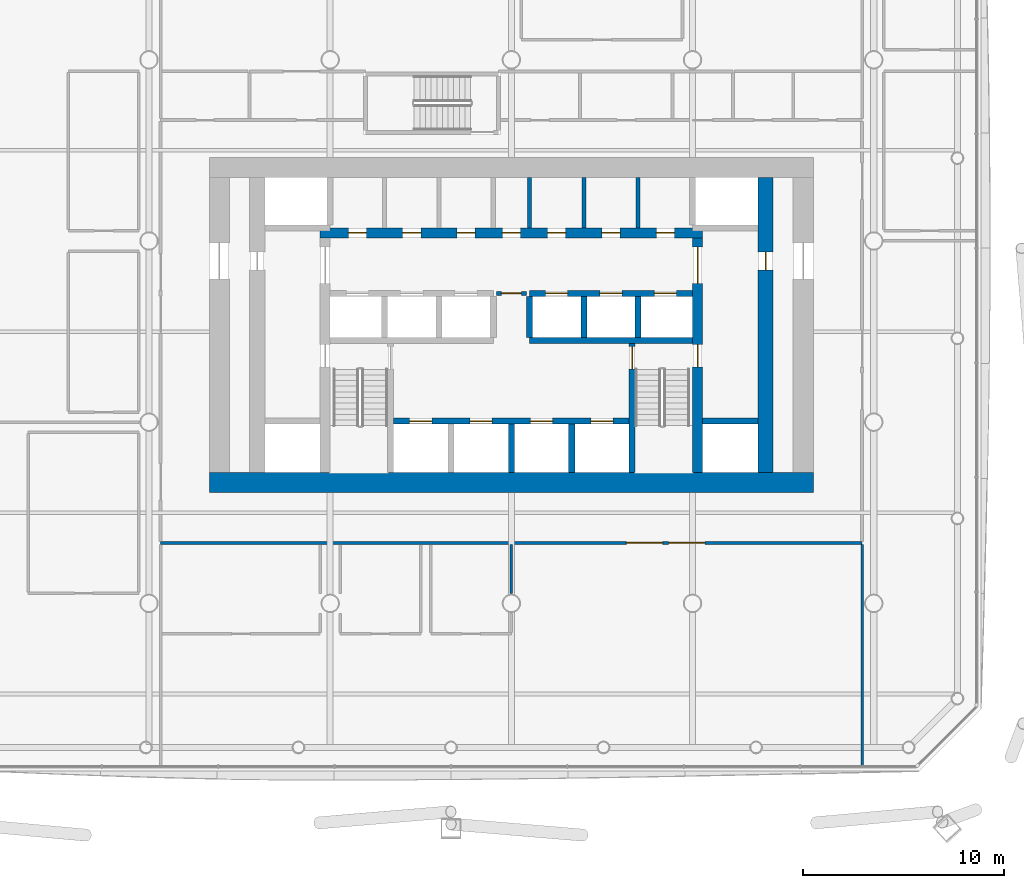
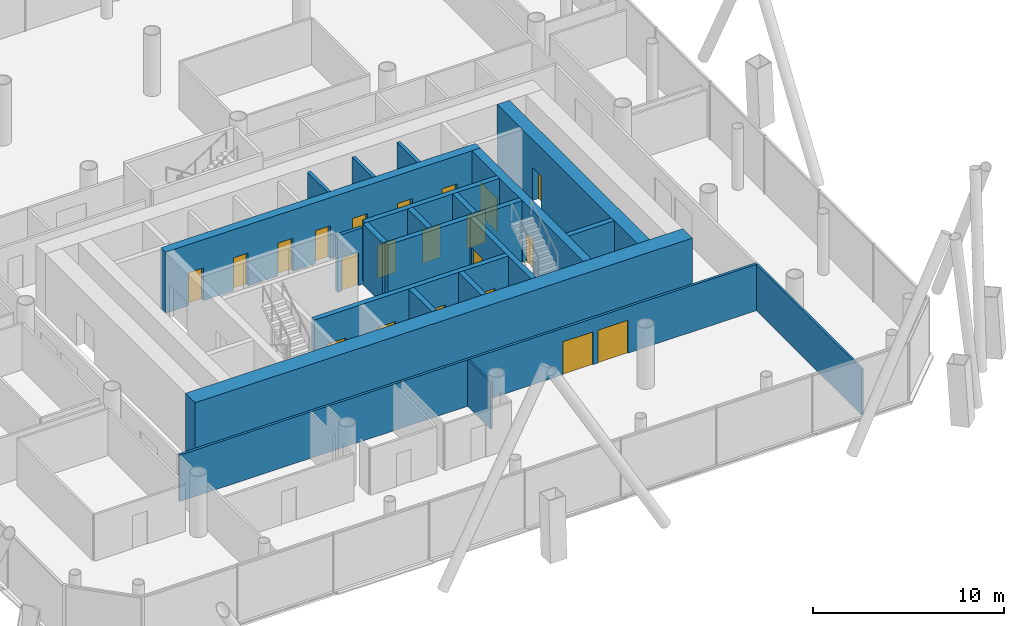
# One storey, part 14 of 21: 21 doors, 21 walls, 21 openings.
"""IFC4 building model written with IfcOpenShell, lengths in metres."""

import ifcopenshell
import ifcopenshell.guid

model = None  # the IFC model being written
_history = None  # IfcOwnerHistory: only IFC2X3 demands one
_inside = {}  # id of a spatial element -> (the spatial element, [elements in it])
_under = {}  # id of a project, library or spatial element -> (it, [spatial elements below it])
_declared = {}  # id of a project -> (the project, [libraries it declares])
_typed = {}  # id of a type object -> (the type object, [elements of that type])
_made_of = {}  # id of a material, layer set ... -> (it, [elements and type objects made of it])


def new_model(schema):
    """Start an empty IFC model of exactly this schema.

    Asked for "IFC4X3", IfcOpenShell would pick the latest addendum, in which some entities
    have other attributes; the version numbers below select the first issue.
    IFC2X3 requires an IfcOwnerHistory on every rooted entity: one is made here for all.
    """
    global model, _history
    if schema == "IFC4X3":
        model = ifcopenshell.file(schema_version=(4, 3, 0, 0))
    else:
        model = ifcopenshell.file(schema=schema)
    _inside.clear()
    _under.clear()
    _declared.clear()
    _typed.clear()
    _made_of.clear()
    _history = None
    if model.schema == "IFC2X3":
        org = make("IfcOrganization", Name="unknown")
        user = make(
            "IfcPersonAndOrganization",
            ThePerson=make("IfcPerson", FamilyName="unknown"),
            TheOrganization=org,
        )
        app = make(
            "IfcApplication",
            ApplicationDeveloper=org,
            Version="unknown",
            ApplicationFullName="unknown",
            ApplicationIdentifier="unknown",
        )
        _history = make(
            "IfcOwnerHistory",
            OwningUser=user,
            OwningApplication=app,
            ChangeAction="ADDED",
            CreationDate=0,
        )
    return model


def make(cls, **values):
    """One entity of the class cls with the attributes given. An attribute that is None is left unset."""
    return model.create_entity(
        cls, **{name: value for name, value in values.items() if value is not None}
    )


def rooted(cls, **values):
    """An entity with a GlobalId (a new one), such as an element, a storey or a relation."""
    return make(cls, GlobalId=ifcopenshell.guid.new(), OwnerHistory=_history, **values)


def si_unit(unit_type, name, prefix=None):
    """IfcSIUnit, for example si_unit("LENGTHUNIT", "METRE", prefix="MILLI")."""
    return make("IfcSIUnit", UnitType=unit_type, Prefix=prefix, Name=name)


def assignment(units):
    """IfcUnitAssignment: the units of a project."""
    return None if units is None else make("IfcUnitAssignment", Units=units)


def point(xyz):
    """IfcCartesianPoint."""
    return None if xyz is None else make("IfcCartesianPoint", Coordinates=xyz)


def direction(xyz):
    """IfcDirection."""
    return None if xyz is None else make("IfcDirection", DirectionRatios=xyz)


def frame(location, z_axis=None, x_axis=None):
    """IfcAxis2Placement3D, a coordinate frame: its origin and axes. An axis left out is left unset."""
    return make(
        "IfcAxis2Placement3D",
        Location=point(location),
        Axis=direction(z_axis),
        RefDirection=direction(x_axis),
    )


def frame_2d(location, x_axis=None):
    """IfcAxis2Placement2D, a coordinate frame in the plane: its origin and x axis."""
    return make(
        "IfcAxis2Placement2D", Location=point(location), RefDirection=direction(x_axis)
    )


def origin():
    """The frame at (0, 0, 0) with its axes left unset."""
    return frame((0.0, 0.0, 0.0))


def place(relative_to, where):
    """IfcLocalPlacement: puts the frame where relative to a parent placement (None: the world)."""
    return make(
        "IfcLocalPlacement", PlacementRelTo=relative_to, RelativePlacement=where
    )


def context(
    kind, dimensions, precision=None, world=None, true_north=None, identifier=None
):
    """IfcGeometricRepresentationContext, for example the 3D "Model" context."""
    return make(
        "IfcGeometricRepresentationContext",
        ContextIdentifier=identifier,
        ContextType=kind,
        CoordinateSpaceDimension=dimensions,
        Precision=precision,
        WorldCoordinateSystem=world,
        TrueNorth=true_north,
    )


def subcontext(parent, identifier, kind, view, scale=None):
    """IfcGeometricRepresentationSubContext, for example "Body" below "Model"."""
    return make(
        "IfcGeometricRepresentationSubContext",
        ContextIdentifier=identifier,
        ContextType=kind,
        ParentContext=parent,
        TargetScale=scale,
        TargetView=view,
    )


def project(units=None, contexts=None):
    """IfcProject with its units and contexts."""
    return rooted(
        "IfcProject",
        Name="project",
        RepresentationContexts=contexts,
        UnitsInContext=assignment(units),
    )


def spatial(cls, under=None, at=None, **own):
    """A site, building, storey or space (cls), placed at a placement, below another one or the project."""
    s = rooted(cls, ObjectPlacement=at, **own)
    if under is not None:
        _under.setdefault(under.id(), (under, []))[1].append(s)
    return s


def profile(cls, at=None, kind="AREA", **sizes):
    """A parametric profile (cls). Its sizes go by their IFC names, for example OverallWidth=200.0."""
    return make(cls, ProfileType=kind, Position=at, **sizes)


def rectangle(**sizes):
    """IfcRectangleProfileDef."""
    return profile("IfcRectangleProfileDef", **sizes)


def extrude(swept, where, along, depth):
    """IfcExtrudedAreaSolid: the profile swept, set in the frame where, extruded along a direction by depth."""
    return make(
        "IfcExtrudedAreaSolid",
        SweptArea=swept,
        Position=where,
        ExtrudedDirection=direction(along),
        Depth=depth,
    )


def shape(context_of_items, identifier, shape_type, items):
    """IfcShapeRepresentation: the items that make up one representation, for example the "Body"."""
    return make(
        "IfcShapeRepresentation",
        ContextOfItems=context_of_items,
        RepresentationIdentifier=identifier,
        RepresentationType=shape_type,
        Items=items,
    )


def material(Name=None, Category=None):
    """IfcMaterial."""
    return make("IfcMaterial", Name=Name, Category=Category)


def layer(
    of_material, thickness, ventilated=None, Name=None, Category=None, Priority=None
):
    """IfcMaterialLayer: one layer of a wall or slab, of a material (None: an air gap)."""
    return make(
        "IfcMaterialLayer",
        Material=of_material,
        LayerThickness=thickness,
        IsVentilated=ventilated,
        Name=Name,
        Category=Category,
        Priority=Priority,
    )


def layer_set(layers, Name=None):
    """IfcMaterialLayerSet."""
    return make("IfcMaterialLayerSet", MaterialLayers=layers, LayerSetName=Name)


def made_of(thing, what):
    """Note that an element or type object is made of a material, layer set ...; save() writes the relation."""
    if what is not None:
        _made_of.setdefault(what.id(), (what, []))[1].append(thing)
    return thing


def type_object(cls, material=None, **own):
    """A type object (cls), such as IfcWallType, which elements share."""
    return made_of(rooted(cls, **own), material)


def element(
    cls,
    number,
    at=None,
    inside=None,
    cuts=None,
    type_object=None,
    material=None,
    context=None,
    identifier="Body",
    shape_type=None,
    held_by="IfcProductDefinitionShape",
    body=None,
    shapes=None,
    **own,
):
    """One element of the class cls, such as IfcWall. Its Tag is "e" and its number.

    at: its placement. inside: the storey or other place that contains it. cuts: it is an
    opening in that element (IfcRelVoidsElement). A single representation is given by context,
    identifier, shape_type and body (its items); several are given by shapes. held_by: the class
    of the entity that holds the representations. save() writes the other relations.
    """
    e = rooted(cls, Tag="e%d" % number, ObjectPlacement=at, **own)
    if body is not None:
        shapes = [shape(context, identifier, shape_type, body)]
    if shapes is not None:
        e.Representation = make(held_by, Representations=shapes)
    if inside is not None:
        _inside.setdefault(inside.id(), (inside, []))[1].append(e)
    if cuts is not None:
        rooted(
            "IfcRelVoidsElement", RelatingBuildingElement=cuts, RelatedOpeningElement=e
        )
    if type_object is not None:
        _typed.setdefault(type_object.id(), (type_object, []))[1].append(e)
    return made_of(e, material)


def fill(opening, filler):
    """IfcRelFillsElement: the door or window that sits in an opening."""
    return rooted(
        "IfcRelFillsElement",
        RelatingOpeningElement=opening,
        RelatedBuildingElement=filler,
    )


def aggregate(whole, parts):
    """IfcRelAggregates: a whole, such as a stair, and the parts it consists of."""
    return rooted("IfcRelAggregates", RelatingObject=whole, RelatedObjects=parts)


def save(model, path):
    """Write the relations noted so far, then the file.

    IfcRelAggregates (storeys below a building ...), IfcRelContainedInSpatialStructure (elements
    in a storey), IfcRelDefinesByType, IfcRelAssociatesMaterial and IfcRelDeclares: one each for
    every whole, place, type object, material and project.
    """
    for whole, parts in _under.values():
        aggregate(whole, parts)
    for where, things in _inside.values():
        rooted(
            "IfcRelContainedInSpatialStructure",
            RelatedElements=things,
            RelatingStructure=where,
        )
    for kind, things in _typed.values():
        rooted("IfcRelDefinesByType", RelatedObjects=things, RelatingType=kind)
    for what, things in _made_of.values():
        rooted("IfcRelAssociatesMaterial", RelatedObjects=things, RelatingMaterial=what)
    for by, libraries in _declared.values():
        rooted("IfcRelDeclares", RelatingContext=by, RelatedDefinitions=libraries)
    model.write(path)


model = new_model("IFC4")

# Units and contexts
model_context = context("Model", 3, precision=1e-05, world=origin(), true_north=direction((0.0, 1.0)))
body_context = subcontext(model_context, "Body", "Model", "MODEL_VIEW")
ifc_project = project(units=[si_unit("LENGTHUNIT", "METRE"), si_unit("AREAUNIT", "SQUARE_METRE"), si_unit("VOLUMEUNIT", "CUBIC_METRE"), si_unit("PLANEANGLEUNIT", "RADIAN"), si_unit("MASSUNIT", "GRAM", prefix="KILO")], contexts=[model_context])

# Site, building, storey
site_placement = place(None, origin())
site = spatial("IfcSite", under=ifc_project, at=site_placement, CompositionType="ELEMENT")
building_placement = place(site_placement, origin())
building = spatial("IfcBuilding", under=site, at=building_placement, Name="Tskaro Facet Tower", CompositionType="ELEMENT")
storey_placement = place(building_placement, frame((0.0, 0.0, 45.89990234375)))
storey = spatial("IfcBuildingStorey", under=building, at=storey_placement, Name="L10", CompositionType="ELEMENT", Elevation=45.89990234375)

# Wall, openings, doors
ifc_material_1 = material(Name="Concrete C60/75", Category="concrete")
ifc_layer_1 = layer(ifc_material_1, 0.300048828125, Name="Concrete C60/75")
ifc_layer_set_1 = layer_set([ifc_layer_1], Name="Concrete C60/75")
wall_type_1 = type_object("IfcWallType", Name="CORE-SHAFT", PredefinedType="SHEAR", material=ifc_layer_set_1)
wall_1_placement = place(storey_placement, frame((-5.85009765625, -8.949951171875, 0.0), z_axis=(0.0, 0.0, 1.0), x_axis=(1.0, 0.0, 0.0)))
wall_1 = element("IfcWall", 1, at=wall_1_placement, inside=storey, type_object=wall_type_1, Name="Shaft wall W009", PredefinedType="SHEAR", context=body_context, shape_type="SweptSolid", body=[
    extrude(rectangle(XDim=11.7001953125, YDim=0.300048828125, at=frame_2d((5.85009765625, 0.0))), origin(), (0.0, 0.0, 1.0), 3.900146484375),
])
opening_1_placement = place(wall_1_placement, frame((0.800048828125, 0.0, 0.0)))
opening_1 = element("IfcOpeningElement", 2, at=opening_1_placement, cuts=wall_1, Name="Opening LD-FF1", PredefinedType="OPENING", context=body_context, shape_type="SweptSolid", body=[
    extrude(rectangle(XDim=1.10009765625, YDim=2.10009765625, at=frame_2d((0.550048828125, 1.050048828125))), frame((0.0, 0.159912109375, 0.0), z_axis=(0.0, -1.0, 0.0), x_axis=(1.0, 0.0, 0.0)), (0.0, 0.0, 1.0), 0.320068359375),
])
opening_2_placement = place(wall_1_placement, frame((3.800048828125, 0.0, 0.0)))
opening_2 = element("IfcOpeningElement", 3, at=opening_2_placement, cuts=wall_1, Name="Opening LD-FF2", PredefinedType="OPENING", context=body_context, shape_type="SweptSolid", body=[
    extrude(rectangle(XDim=1.10009765625, YDim=2.10009765625, at=frame_2d((0.550048828125, 1.050048828125))), frame((0.0, 0.159912109375, 0.0), z_axis=(0.0, -1.0, 0.0), x_axis=(1.0, 0.0, 0.0)), (0.0, 0.0, 1.0), 0.320068359375),
])
opening_3_placement = place(wall_1_placement, frame((6.800048828125, 0.0, 0.0)))
opening_3 = element("IfcOpeningElement", 4, at=opening_3_placement, cuts=wall_1, Name="Opening LD-SV1", PredefinedType="OPENING", context=body_context, shape_type="SweptSolid", body=[
    extrude(rectangle(XDim=1.10009765625, YDim=2.10009765625, at=frame_2d((0.550048828125, 1.050048828125))), frame((0.0, 0.159912109375, 0.0), z_axis=(0.0, -1.0, 0.0), x_axis=(1.0, 0.0, 0.0)), (0.0, 0.0, 1.0), 0.320068359375),
])
opening_4_placement = place(wall_1_placement, frame((9.800048828125, 0.0, 0.0)))
opening_4 = element("IfcOpeningElement", 5, at=opening_4_placement, cuts=wall_1, Name="Opening LD-SV2", PredefinedType="OPENING", context=body_context, shape_type="SweptSolid", body=[
    extrude(rectangle(XDim=1.10009765625, YDim=2.10009765625, at=frame_2d((0.550048828125, 1.050048828125))), frame((0.0, 0.159912109375, 0.0), z_axis=(0.0, -1.0, 0.0), x_axis=(1.0, 0.0, 0.0)), (0.0, 0.0, 1.0), 0.320068359375),
])
ifc_material_2 = material(Name="Stainless steel", Category="steel")
door_type_1 = type_object("IfcDoorType", Name="D-LANDING", OperationType="NOTDEFINED", PredefinedType="DOOR", material=ifc_material_2)
door_1_placement = place(opening_1_placement, origin())
door_1 = element("IfcDoor", 6, at=door_1_placement, inside=storey, type_object=door_type_1, Name="Landing door FF1", OperationType="DOUBLE_DOOR_SLIDING", OverallHeight=2.10009765625, OverallWidth=1.10009765625, PredefinedType="DOOR", context=body_context, shape_type="SweptSolid", body=[
    extrude(rectangle(XDim=1.10009765625, YDim=2.10009765625, at=frame_2d((0.550048828125, 1.050048828125))), frame((0.0, 0.02490234375, 0.0), z_axis=(0.0, -1.0, 0.0), x_axis=(1.0, 0.0, 0.0)), (0.0, 0.0, 1.0), 0.050048828125),
])
fill(opening_1, door_1)
door_2_placement = place(opening_2_placement, origin())
door_2 = element("IfcDoor", 7, at=door_2_placement, inside=storey, type_object=door_type_1, Name="Landing door FF2", OperationType="DOUBLE_DOOR_SLIDING", OverallHeight=2.10009765625, OverallWidth=1.10009765625, PredefinedType="DOOR", context=body_context, shape_type="SweptSolid", body=[
    extrude(rectangle(XDim=1.10009765625, YDim=2.10009765625, at=frame_2d((0.550048828125, 1.050048828125))), frame((0.0, 0.02490234375, 0.0), z_axis=(0.0, -1.0, 0.0), x_axis=(1.0, 0.0, 0.0)), (0.0, 0.0, 1.0), 0.050048828125),
])
fill(opening_2, door_2)
door_3_placement = place(opening_3_placement, origin())
door_3 = element("IfcDoor", 8, at=door_3_placement, inside=storey, type_object=door_type_1, Name="Landing door SV1", OperationType="DOUBLE_DOOR_SLIDING", OverallHeight=2.10009765625, OverallWidth=1.10009765625, PredefinedType="DOOR", context=body_context, shape_type="SweptSolid", body=[
    extrude(rectangle(XDim=1.10009765625, YDim=2.10009765625, at=frame_2d((0.550048828125, 1.050048828125))), frame((0.0, 0.02490234375, 0.0), z_axis=(0.0, -1.0, 0.0), x_axis=(1.0, 0.0, 0.0)), (0.0, 0.0, 1.0), 0.050048828125),
])
fill(opening_3, door_3)
door_4_placement = place(opening_4_placement, origin())
door_4 = element("IfcDoor", 9, at=door_4_placement, inside=storey, type_object=door_type_1, Name="Landing door SV2", OperationType="DOUBLE_DOOR_SLIDING", OverallHeight=2.10009765625, OverallWidth=1.10009765625, PredefinedType="DOOR", context=body_context, shape_type="SweptSolid", body=[
    extrude(rectangle(XDim=1.10009765625, YDim=2.10009765625, at=frame_2d((0.550048828125, 1.050048828125))), frame((0.0, 0.02490234375, 0.0), z_axis=(0.0, -1.0, 0.0), x_axis=(1.0, 0.0, 0.0)), (0.0, 0.0, 1.0), 0.050048828125),
])
fill(opening_4, door_4)

# Walls
wall_2_placement = place(storey_placement, frame((9.5, -8.949951171875, 0.0), z_axis=(0.0, 0.0, 1.0), x_axis=(1.0, 0.0, 0.0)))
element("IfcWall", 10, at=wall_2_placement, inside=storey, type_object=wall_type_1, Name="Shaft wall W010", PredefinedType="SHEAR", context=body_context, shape_type="SweptSolid", body=[
    extrude(rectangle(XDim=2.75, YDim=0.300048828125, at=frame_2d((1.375, 0.0))), origin(), (0.0, 0.0, 1.0), 3.900146484375),
])
wall_3_placement = place(storey_placement, frame((0.89990234375, -4.949951171875, 0.0), z_axis=(0.0, 0.0, 1.0), x_axis=(1.0, 0.0, 0.0)))
element("IfcWall", 11, at=wall_3_placement, inside=storey, type_object=wall_type_1, Name="Shaft wall W013", PredefinedType="SHEAR", context=body_context, shape_type="SweptSolid", body=[
    extrude(rectangle(XDim=8.10009765625, YDim=0.300048828125, at=frame_2d((4.050048828125, 0.0))), origin(), (0.0, 0.0, 1.0), 3.900146484375),
])

# Wall, openings, doors
wall_4_placement = place(storey_placement, frame((0.89990234375, -2.60009765625, 0.0), z_axis=(0.0, 0.0, 1.0), x_axis=(1.0, 0.0, 0.0)))
wall_4 = element("IfcWall", 12, at=wall_4_placement, inside=storey, type_object=wall_type_1, Name="Shaft wall W016", PredefinedType="SHEAR", context=body_context, shape_type="SweptSolid", body=[
    extrude(rectangle(XDim=8.10009765625, YDim=0.300048828125, at=frame_2d((4.050048828125, 0.0))), origin(), (0.0, 0.0, 1.0), 3.900146484375),
])
opening_5_placement = place(wall_4_placement, frame((0.800048828125, 0.0, 0.0)))
opening_5 = element("IfcOpeningElement", 13, at=opening_5_placement, cuts=wall_4, Name="Opening LD-LR4", PredefinedType="OPENING", context=body_context, shape_type="SweptSolid", body=[
    extrude(rectangle(XDim=1.10009765625, YDim=2.10009765625, at=frame_2d((0.550048828125, 1.050048828125))), frame((0.0, 0.159912109375, 0.0), z_axis=(0.0, -1.0, 0.0), x_axis=(1.0, 0.0, 0.0)), (0.0, 0.0, 1.0), 0.320068359375),
])
opening_6_placement = place(wall_4_placement, frame((3.5, 0.0, 0.0)))
opening_6 = element("IfcOpeningElement", 14, at=opening_6_placement, cuts=wall_4, Name="Opening LD-LR5", PredefinedType="OPENING", context=body_context, shape_type="SweptSolid", body=[
    extrude(rectangle(XDim=1.10009765625, YDim=2.10009765625, at=frame_2d((0.550048828125, 1.050048828125))), frame((0.0, 0.159912109375, 0.0), z_axis=(0.0, -1.0, 0.0), x_axis=(1.0, 0.0, 0.0)), (0.0, 0.0, 1.0), 0.320068359375),
])
opening_7_placement = place(wall_4_placement, frame((6.199951171875, 0.0, 0.0)))
opening_7 = element("IfcOpeningElement", 15, at=opening_7_placement, cuts=wall_4, Name="Opening LD-LR6", PredefinedType="OPENING", context=body_context, shape_type="SweptSolid", body=[
    extrude(rectangle(XDim=1.10009765625, YDim=2.10009765625, at=frame_2d((0.550048828125, 1.050048828125))), frame((0.0, 0.159912109375, 0.0), z_axis=(0.0, -1.0, 0.0), x_axis=(1.0, 0.0, 0.0)), (0.0, 0.0, 1.0), 0.320068359375),
])
door_5_placement = place(opening_5_placement, origin())
door_5 = element("IfcDoor", 16, at=door_5_placement, inside=storey, type_object=door_type_1, Name="Landing door LR4", OperationType="DOUBLE_DOOR_SLIDING", OverallHeight=2.10009765625, OverallWidth=1.10009765625, PredefinedType="DOOR", context=body_context, shape_type="SweptSolid", body=[
    extrude(rectangle(XDim=1.10009765625, YDim=2.10009765625, at=frame_2d((0.550048828125, 1.050048828125))), frame((0.0, 0.02490234375, 0.0), z_axis=(0.0, -1.0, 0.0), x_axis=(1.0, 0.0, 0.0)), (0.0, 0.0, 1.0), 0.050048828125),
])
fill(opening_5, door_5)
door_6_placement = place(opening_6_placement, origin())
door_6 = element("IfcDoor", 17, at=door_6_placement, inside=storey, type_object=door_type_1, Name="Landing door LR5", OperationType="DOUBLE_DOOR_SLIDING", OverallHeight=2.10009765625, OverallWidth=1.10009765625, PredefinedType="DOOR", context=body_context, shape_type="SweptSolid", body=[
    extrude(rectangle(XDim=1.10009765625, YDim=2.10009765625, at=frame_2d((0.550048828125, 1.050048828125))), frame((0.0, 0.02490234375, 0.0), z_axis=(0.0, -1.0, 0.0), x_axis=(1.0, 0.0, 0.0)), (0.0, 0.0, 1.0), 0.050048828125),
])
fill(opening_6, door_6)
door_7_placement = place(opening_7_placement, origin())
door_7 = element("IfcDoor", 18, at=door_7_placement, inside=storey, type_object=door_type_1, Name="Landing door LR6", OperationType="DOUBLE_DOOR_SLIDING", OverallHeight=2.10009765625, OverallWidth=1.10009765625, PredefinedType="DOOR", context=body_context, shape_type="SweptSolid", body=[
    extrude(rectangle(XDim=1.10009765625, YDim=2.10009765625, at=frame_2d((0.550048828125, 1.050048828125))), frame((0.0, 0.02490234375, 0.0), z_axis=(0.0, -1.0, 0.0), x_axis=(1.0, 0.0, 0.0)), (0.0, 0.0, 1.0), 0.050048828125),
])
fill(opening_7, door_7)

# Walls
wall_5_placement = place(storey_placement, frame((0.0, -11.5, 0.0), z_axis=(0.0, 0.0, 1.0), x_axis=(0.0, 1.0, 0.0)))
element("IfcWall", 19, at=wall_5_placement, inside=storey, type_object=wall_type_1, Name="Shaft wall W066", PredefinedType="SHEAR", context=body_context, shape_type="SweptSolid", body=[
    extrude(rectangle(XDim=2.39990234375, YDim=0.300048828125, at=frame_2d((1.199951171875, 0.0))), origin(), (0.0, 0.0, 1.0), 3.900146484375),
])
wall_6_placement = place(storey_placement, frame((0.89990234375, -4.800048828125, 0.0), z_axis=(0.0, 0.0, 1.0), x_axis=(0.0, 1.0, 0.0)))
element("IfcWall", 20, at=wall_6_placement, inside=storey, type_object=wall_type_1, Name="Shaft wall W068", PredefinedType="SHEAR", context=body_context, shape_type="SweptSolid", body=[
    extrude(rectangle(XDim=2.050048828125, YDim=0.300048828125, at=frame_2d((1.02490234375, 0.0))), origin(), (0.0, 0.0, 1.0), 3.900146484375),
])
wall_7_placement = place(storey_placement, frame((3.0, -11.5, 0.0), z_axis=(0.0, 0.0, 1.0), x_axis=(0.0, 1.0, 0.0)))
element("IfcWall", 21, at=wall_7_placement, inside=storey, type_object=wall_type_1, Name="Shaft wall W070", PredefinedType="SHEAR", context=body_context, shape_type="SweptSolid", body=[
    extrude(rectangle(XDim=2.39990234375, YDim=0.300048828125, at=frame_2d((1.199951171875, 0.0))), origin(), (0.0, 0.0, 1.0), 3.900146484375),
])
wall_8_placement = place(storey_placement, frame((3.60009765625, -4.800048828125, 0.0), z_axis=(0.0, 0.0, 1.0), x_axis=(0.0, 1.0, 0.0)))
element("IfcWall", 22, at=wall_8_placement, inside=storey, type_object=wall_type_1, Name="Shaft wall W072", PredefinedType="SHEAR", context=body_context, shape_type="SweptSolid", body=[
    extrude(rectangle(XDim=2.050048828125, YDim=0.300048828125, at=frame_2d((1.02490234375, 0.0))), origin(), (0.0, 0.0, 1.0), 3.900146484375),
])

# Wall, opening, door
wall_9_placement = place(storey_placement, frame((6.0, -5.10009765625, 0.0), z_axis=(0.0, 0.0, 1.0), x_axis=(0.0, -1.0, 0.0)))
wall_9 = element("IfcWall", 23, at=wall_9_placement, inside=storey, type_object=wall_type_1, Name="Shaft wall W074", PredefinedType="SHEAR", context=body_context, shape_type="SweptSolid", body=[
    extrude(rectangle(XDim=6.39990234375, YDim=0.300048828125, at=frame_2d((3.199951171875, 0.0))), origin(), (0.0, 0.0, 1.0), 3.900146484375),
])
opening_8_placement = place(wall_9_placement, frame((0.14990234375, 0.0, 0.0)))
opening_8 = element("IfcOpeningElement", 24, at=opening_8_placement, cuts=wall_9, Name="Opening ST-2-D1", PredefinedType="OPENING", context=body_context, shape_type="SweptSolid", body=[
    extrude(rectangle(XDim=1.10009765625, YDim=2.10009765625, at=frame_2d((0.550048828125, 1.050048828125))), frame((0.0, 0.159912109375, 0.0), z_axis=(0.0, -1.0, 0.0), x_axis=(1.0, 0.0, 0.0)), (0.0, 0.0, 1.0), 0.320068359375),
])
ifc_material_3 = material(Name="Steel", Category="steel")
door_type_2 = type_object("IfcDoorType", Name="D-STAIR", OperationType="NOTDEFINED", PredefinedType="DOOR", material=ifc_material_3)
door_8_placement = place(opening_8_placement, origin())
door_8 = element("IfcDoor", 25, at=door_8_placement, inside=storey, type_object=door_type_2, Name="Stair door 2", OperationType="SINGLE_SWING_RIGHT", OverallHeight=2.10009765625, OverallWidth=1.10009765625, PredefinedType="DOOR", context=body_context, shape_type="SweptSolid", body=[
    extrude(rectangle(XDim=1.10009765625, YDim=2.10009765625, at=frame_2d((0.550048828125, 1.050048828125))), frame((0.0, 0.02490234375, 0.0), z_axis=(0.0, -1.0, 0.0), x_axis=(1.0, 0.0, 0.0)), (0.0, 0.0, 1.0), 0.050048828125),
])
fill(opening_8, door_8)

# Wall
wall_10_placement = place(storey_placement, frame((6.300048828125, -4.800048828125, 0.0), z_axis=(0.0, 0.0, 1.0), x_axis=(0.0, 1.0, 0.0)))
element("IfcWall", 26, at=wall_10_placement, inside=storey, type_object=wall_type_1, Name="Shaft wall W075", PredefinedType="SHEAR", context=body_context, shape_type="SweptSolid", body=[
    extrude(rectangle(XDim=2.050048828125, YDim=0.300048828125, at=frame_2d((1.02490234375, 0.0))), origin(), (0.0, 0.0, 1.0), 3.900146484375),
])

# Wall, opening, door
ifc_material_4 = material(Name="Concrete C20/25", Category="concrete")
ifc_layer_2 = layer(ifc_material_4, 0.199951171875, Name="Concrete C20/25")
ifc_layer_set_2 = layer_set([ifc_layer_2], Name="Concrete C20/25")
wall_type_2 = type_object("IfcWallType", Name="CORE-WALL", PredefinedType="SOLIDWALL", material=ifc_layer_set_2)
wall_11_placement = place(storey_placement, frame((0.75, -2.60009765625, 0.0), z_axis=(0.0, 0.0, 1.0), x_axis=(-1.0, 0.0, 0.0)))
wall_11 = element("IfcWall", 27, at=wall_11_placement, inside=storey, type_object=wall_type_2, Name="Core room wall W015", PredefinedType="SOLIDWALL", context=body_context, shape_type="SweptSolid", body=[
    extrude(rectangle(XDim=1.5, YDim=0.199951171875, at=frame_2d((0.75, 0.0))), origin(), (0.0, 0.0, 1.0), 3.60009765625),
])
opening_9_placement = place(wall_11_placement, frame((0.25, 0.0, 0.0)))
opening_9 = element("IfcOpeningElement", 28, at=opening_9_placement, cuts=wall_11, Name="Opening FL-D1", PredefinedType="OPENING", context=body_context, shape_type="SweptSolid", body=[
    extrude(rectangle(XDim=1.0, YDim=2.10009765625, at=frame_2d((0.5, 1.050048828125))), frame((0.0, 0.10986328125, 0.0), z_axis=(0.0, -1.0, 0.0), x_axis=(1.0, 0.0, 0.0)), (0.0, 0.0, 1.0), 0.219970703125),
])
door_type_3 = type_object("IfcDoorType", Name="D-LOBBY", OperationType="NOTDEFINED", PredefinedType="DOOR", material=ifc_material_3)
door_9_placement = place(opening_9_placement, origin())
door_9 = element("IfcDoor", 29, at=door_9_placement, inside=storey, type_object=door_type_3, Name="Lobby door FL", OperationType="SINGLE_SWING_RIGHT", OverallHeight=2.10009765625, OverallWidth=1.0, PredefinedType="DOOR", context=body_context, shape_type="SweptSolid", body=[
    extrude(rectangle(XDim=1.0, YDim=2.10009765625, at=frame_2d((0.5, 1.050048828125))), frame((0.0, 0.02490234375, 0.0), z_axis=(0.0, -1.0, 0.0), x_axis=(1.0, 0.0, 0.0)), (0.0, 0.0, 1.0), 0.050048828125),
])
fill(opening_9, door_9)

# Walls
for number, where, z_axis, x_axis, name in (
    (30, (0.89990234375, 0.64990234375, 0.0), (0.0, 0.0, 1.0), (0.0, 1.0, 0.0), "Core room wall W069"),
    (31, (3.60009765625, 0.64990234375, 0.0), (0.0, 0.0, 1.0), (0.0, 1.0, 0.0), "Core room wall W073"),
    (32, (6.300048828125, 0.64990234375, 0.0), (0.0, 0.0, 1.0), (0.0, 1.0, 0.0), "Core room wall W076"),
):
    element("IfcWall", number, at=place(storey_placement, frame(where, z_axis=z_axis, x_axis=x_axis)), inside=storey, type_object=wall_type_2, Name=name, PredefinedType="SOLIDWALL", context=body_context, shape_type="SweptSolid", body=[
        extrude(rectangle(XDim=2.5, YDim=0.199951171875, at=frame_2d((1.25, 0.0))), origin(), (0.0, 0.0, 1.0), 3.60009765625),
    ])
ifc_layer_3 = layer(ifc_material_1, 1.0, Name="Concrete C60/75")
ifc_layer_set_3 = layer_set([ifc_layer_3], Name="Concrete C60/75")
wall_type_3 = type_object("IfcWallType", Name="Core wall 1000", PredefinedType="SHEAR", material=ifc_layer_set_3)
wall_12_placement = place(storey_placement, frame((-15.0, -12.0, 0.0), z_axis=(0.0, 0.0, 1.0), x_axis=(1.0, 0.0, 0.0)))
element("IfcWall", 33, at=wall_12_placement, inside=storey, type_object=wall_type_3, Name="Core wall CW-Z1S", PredefinedType="SHEAR", context=body_context, shape_type="SweptSolid", body=[
    extrude(rectangle(XDim=30.0, YDim=1.0, at=frame_2d((15.0, 0.0))), origin(), (0.0, 0.0, 1.0), 3.900146484375),
])

# Wall, openings, doors
ifc_material_5 = material(Name="Concrete C40/50", Category="concrete")
ifc_layer_4 = layer(ifc_material_5, 0.5, Name="Concrete C40/50")
ifc_layer_set_4 = layer_set([ifc_layer_4], Name="Concrete C40/50")
wall_type_4 = type_object("IfcWallType", Name="Core wall 500", PredefinedType="SHEAR", material=ifc_layer_set_4)
wall_13_placement = place(storey_placement, frame((-9.5, 0.39990234375, 0.0), z_axis=(0.0, 0.0, 1.0), x_axis=(1.0, 0.0, 0.0)))
wall_13 = element("IfcWall", 34, at=wall_13_placement, inside=storey, type_object=wall_type_4, Name="Core wall CW-Z3N", PredefinedType="SHEAR", context=body_context, shape_type="SweptSolid", body=[
    extrude(rectangle(XDim=19.0, YDim=0.5, at=frame_2d((9.5, 0.0))), origin(), (0.0, 0.0, 1.0), 3.900146484375),
])
opening_10_placement = place(wall_13_placement, frame((1.39990234375, 0.0, 0.0)))
opening_10 = element("IfcOpeningElement", 35, at=opening_10_placement, cuts=wall_13, Name="Opening T3-D21", PredefinedType="OPENING", context=body_context, shape_type="SweptSolid", body=[
    extrude(rectangle(XDim=0.89990234375, YDim=2.10009765625, at=frame_2d((0.449951171875, 1.050048828125))), frame((0.0, 0.260009765625, 0.0), z_axis=(0.0, -1.0, 0.0), x_axis=(1.0, 0.0, 0.0)), (0.0, 0.0, 1.0), 0.52001953125),
])
opening_11_placement = place(wall_13_placement, frame((4.10009765625, 0.0, 0.0)))
opening_11 = element("IfcOpeningElement", 36, at=opening_11_placement, cuts=wall_13, Name="Opening T3-D22", PredefinedType="OPENING", context=body_context, shape_type="SweptSolid", body=[
    extrude(rectangle(XDim=0.89990234375, YDim=2.10009765625, at=frame_2d((0.449951171875, 1.050048828125))), frame((0.0, 0.260009765625, 0.0), z_axis=(0.0, -1.0, 0.0), x_axis=(1.0, 0.0, 0.0)), (0.0, 0.0, 1.0), 0.52001953125),
])
opening_12_placement = place(wall_13_placement, frame((6.800048828125, 0.0, 0.0)))
opening_12 = element("IfcOpeningElement", 37, at=opening_12_placement, cuts=wall_13, Name="Opening T3-D23", PredefinedType="OPENING", context=body_context, shape_type="SweptSolid", body=[
    extrude(rectangle(XDim=0.89990234375, YDim=2.10009765625, at=frame_2d((0.449951171875, 1.050048828125))), frame((0.0, 0.260009765625, 0.0), z_axis=(0.0, -1.0, 0.0), x_axis=(1.0, 0.0, 0.0)), (0.0, 0.0, 1.0), 0.52001953125),
])
opening_13_placement = place(wall_13_placement, frame((11.300048828125, 0.0, 0.0)))
opening_13 = element("IfcOpeningElement", 38, at=opening_13_placement, cuts=wall_13, Name="Opening T3-D25", PredefinedType="OPENING", context=body_context, shape_type="SweptSolid", body=[
    extrude(rectangle(XDim=0.89990234375, YDim=2.10009765625, at=frame_2d((0.449951171875, 1.050048828125))), frame((0.0, 0.260009765625, 0.0), z_axis=(0.0, -1.0, 0.0), x_axis=(1.0, 0.0, 0.0)), (0.0, 0.0, 1.0), 0.52001953125),
])
opening_14_placement = place(wall_13_placement, frame((14.0, 0.0, 0.0)))
opening_14 = element("IfcOpeningElement", 39, at=opening_14_placement, cuts=wall_13, Name="Opening T3-D26", PredefinedType="OPENING", context=body_context, shape_type="SweptSolid", body=[
    extrude(rectangle(XDim=0.89990234375, YDim=2.10009765625, at=frame_2d((0.449951171875, 1.050048828125))), frame((0.0, 0.260009765625, 0.0), z_axis=(0.0, -1.0, 0.0), x_axis=(1.0, 0.0, 0.0)), (0.0, 0.0, 1.0), 0.52001953125),
])
opening_15_placement = place(wall_13_placement, frame((16.699951171875, 0.0, 0.0)))
opening_15 = element("IfcOpeningElement", 40, at=opening_15_placement, cuts=wall_13, Name="Opening T3-D27", PredefinedType="OPENING", context=body_context, shape_type="SweptSolid", body=[
    extrude(rectangle(XDim=0.89990234375, YDim=2.10009765625, at=frame_2d((0.449951171875, 1.050048828125))), frame((0.0, 0.260009765625, 0.0), z_axis=(0.0, -1.0, 0.0), x_axis=(1.0, 0.0, 0.0)), (0.0, 0.0, 1.0), 0.52001953125),
])
opening_16_placement = place(wall_13_placement, frame((9.050048828125, 0.0, 0.0)))
opening_16 = element("IfcOpeningElement", 41, at=opening_16_placement, cuts=wall_13, Name="Opening T3-D24", PredefinedType="OPENING", context=body_context, shape_type="SweptSolid", body=[
    extrude(rectangle(XDim=0.89990234375, YDim=2.10009765625, at=frame_2d((0.449951171875, 1.050048828125))), frame((0.0, 0.260009765625, 0.0), z_axis=(0.0, -1.0, 0.0), x_axis=(1.0, 0.0, 0.0)), (0.0, 0.0, 1.0), 0.52001953125),
])
door_type_4 = type_object("IfcDoorType", Name="D-RISER", OperationType="NOTDEFINED", PredefinedType="DOOR", material=ifc_material_3)
door_10_placement = place(opening_16_placement, origin())
door_10 = element("IfcDoor", 42, at=door_10_placement, inside=storey, type_object=door_type_4, Name="Door T3-D24", OperationType="SINGLE_SWING_LEFT", OverallHeight=2.10009765625, OverallWidth=0.89990234375, PredefinedType="DOOR", context=body_context, shape_type="SweptSolid", body=[
    extrude(rectangle(XDim=0.89990234375, YDim=2.10009765625, at=frame_2d((0.449951171875, 1.050048828125))), frame((0.0, 0.02490234375, 0.0), z_axis=(0.0, -1.0, 0.0), x_axis=(1.0, 0.0, 0.0)), (0.0, 0.0, 1.0), 0.050048828125),
])
fill(opening_16, door_10)
ifc_material_6 = material(Name="Timber", Category="wood")
door_type_5 = type_object("IfcDoorType", Name="D-ROOM", OperationType="NOTDEFINED", PredefinedType="DOOR", material=ifc_material_6)
door_11_placement = place(opening_10_placement, origin())
door_11 = element("IfcDoor", 43, at=door_11_placement, inside=storey, type_object=door_type_5, Name="Door T3-D21", OperationType="SINGLE_SWING_LEFT", OverallHeight=2.10009765625, OverallWidth=0.89990234375, PredefinedType="DOOR", context=body_context, shape_type="SweptSolid", body=[
    extrude(rectangle(XDim=0.89990234375, YDim=2.10009765625, at=frame_2d((0.449951171875, 1.050048828125))), frame((0.0, 0.02490234375, 0.0), z_axis=(0.0, -1.0, 0.0), x_axis=(1.0, 0.0, 0.0)), (0.0, 0.0, 1.0), 0.050048828125),
])
fill(opening_10, door_11)
door_12_placement = place(opening_11_placement, origin())
door_12 = element("IfcDoor", 44, at=door_12_placement, inside=storey, type_object=door_type_5, Name="Door T3-D22", OperationType="SINGLE_SWING_LEFT", OverallHeight=2.10009765625, OverallWidth=0.89990234375, PredefinedType="DOOR", context=body_context, shape_type="SweptSolid", body=[
    extrude(rectangle(XDim=0.89990234375, YDim=2.10009765625, at=frame_2d((0.449951171875, 1.050048828125))), frame((0.0, 0.02490234375, 0.0), z_axis=(0.0, -1.0, 0.0), x_axis=(1.0, 0.0, 0.0)), (0.0, 0.0, 1.0), 0.050048828125),
])
fill(opening_11, door_12)
door_13_placement = place(opening_12_placement, origin())
door_13 = element("IfcDoor", 45, at=door_13_placement, inside=storey, type_object=door_type_5, Name="Door T3-D23", OperationType="SINGLE_SWING_LEFT", OverallHeight=2.10009765625, OverallWidth=0.89990234375, PredefinedType="DOOR", context=body_context, shape_type="SweptSolid", body=[
    extrude(rectangle(XDim=0.89990234375, YDim=2.10009765625, at=frame_2d((0.449951171875, 1.050048828125))), frame((0.0, 0.02490234375, 0.0), z_axis=(0.0, -1.0, 0.0), x_axis=(1.0, 0.0, 0.0)), (0.0, 0.0, 1.0), 0.050048828125),
])
fill(opening_12, door_13)
door_14_placement = place(opening_13_placement, origin())
door_14 = element("IfcDoor", 46, at=door_14_placement, inside=storey, type_object=door_type_5, Name="Door T3-D25", OperationType="SINGLE_SWING_LEFT", OverallHeight=2.10009765625, OverallWidth=0.89990234375, PredefinedType="DOOR", context=body_context, shape_type="SweptSolid", body=[
    extrude(rectangle(XDim=0.89990234375, YDim=2.10009765625, at=frame_2d((0.449951171875, 1.050048828125))), frame((0.0, 0.02490234375, 0.0), z_axis=(0.0, -1.0, 0.0), x_axis=(1.0, 0.0, 0.0)), (0.0, 0.0, 1.0), 0.050048828125),
])
fill(opening_13, door_14)
door_15_placement = place(opening_14_placement, origin())
door_15 = element("IfcDoor", 47, at=door_15_placement, inside=storey, type_object=door_type_5, Name="Door T3-D26", OperationType="SINGLE_SWING_LEFT", OverallHeight=2.10009765625, OverallWidth=0.89990234375, PredefinedType="DOOR", context=body_context, shape_type="SweptSolid", body=[
    extrude(rectangle(XDim=0.89990234375, YDim=2.10009765625, at=frame_2d((0.449951171875, 1.050048828125))), frame((0.0, 0.02490234375, 0.0), z_axis=(0.0, -1.0, 0.0), x_axis=(1.0, 0.0, 0.0)), (0.0, 0.0, 1.0), 0.050048828125),
])
fill(opening_14, door_15)
door_16_placement = place(opening_15_placement, origin())
door_16 = element("IfcDoor", 48, at=door_16_placement, inside=storey, type_object=door_type_5, Name="Door T3-D27", OperationType="SINGLE_SWING_LEFT", OverallHeight=2.10009765625, OverallWidth=0.89990234375, PredefinedType="DOOR", context=body_context, shape_type="SweptSolid", body=[
    extrude(rectangle(XDim=0.89990234375, YDim=2.10009765625, at=frame_2d((0.449951171875, 1.050048828125))), frame((0.0, 0.02490234375, 0.0), z_axis=(0.0, -1.0, 0.0), x_axis=(1.0, 0.0, 0.0)), (0.0, 0.0, 1.0), 0.050048828125),
])
fill(opening_15, door_16)

wall_14_placement = place(storey_placement, frame((9.25, -11.5, 0.0), z_axis=(0.0, 0.0, 1.0), x_axis=(0.0, 1.0, 0.0)))
wall_14 = element("IfcWall", 49, at=wall_14_placement, inside=storey, type_object=wall_type_4, Name="Core wall CW-Z3E", PredefinedType="SHEAR", context=body_context, shape_type="SweptSolid", body=[
    extrude(rectangle(XDim=11.64990234375, YDim=0.5, at=frame_2d((5.824951171875, 0.0))), origin(), (0.0, 0.0, 1.0), 3.900146484375),
])
opening_17_placement = place(wall_14_placement, frame((9.39990234375, 0.0, 0.0)))
opening_17 = element("IfcOpeningElement", 50, at=opening_17_placement, cuts=wall_14, Name="Opening T3-D16", PredefinedType="OPENING", context=body_context, shape_type="SweptSolid", body=[
    extrude(rectangle(XDim=1.800048828125, YDim=2.10009765625, at=frame_2d((0.89990234375, 1.050048828125))), frame((0.0, 0.260009765625, 0.0), z_axis=(0.0, -1.0, 0.0), x_axis=(1.0, 0.0, 0.0)), (0.0, 0.0, 1.0), 0.52001953125),
])
opening_18_placement = place(wall_14_placement, frame((5.25, 0.0, 0.0)))
opening_18 = element("IfcOpeningElement", 51, at=opening_18_placement, cuts=wall_14, Name="Opening ST-2-D2", PredefinedType="OPENING", context=body_context, shape_type="SweptSolid", body=[
    extrude(rectangle(XDim=1.10009765625, YDim=2.10009765625, at=frame_2d((0.550048828125, 1.050048828125))), frame((0.0, 0.260009765625, 0.0), z_axis=(0.0, -1.0, 0.0), x_axis=(1.0, 0.0, 0.0)), (0.0, 0.0, 1.0), 0.52001953125),
])
door_type_6 = type_object("IfcDoorType", Name="D-CORE-PAIR", OperationType="NOTDEFINED", PredefinedType="DOOR", material=ifc_material_3)
door_17_placement = place(opening_17_placement, origin())
door_17 = element("IfcDoor", 52, at=door_17_placement, inside=storey, type_object=door_type_6, Name="Door T3-D16", OperationType="DOUBLE_DOOR_SINGLE_SWING", OverallHeight=2.10009765625, OverallWidth=1.800048828125, PredefinedType="DOOR", context=body_context, shape_type="SweptSolid", body=[
    extrude(rectangle(XDim=1.800048828125, YDim=2.10009765625, at=frame_2d((0.89990234375, 1.050048828125))), frame((0.0, 0.02490234375, 0.0), z_axis=(0.0, -1.0, 0.0), x_axis=(1.0, 0.0, 0.0)), (0.0, 0.0, 1.0), 0.050048828125),
])
fill(opening_17, door_17)
door_18_placement = place(opening_18_placement, origin())
door_18 = element("IfcDoor", 53, at=door_18_placement, inside=storey, type_object=door_type_2, Name="Stair door 2 east", OperationType="SINGLE_SWING_LEFT", OverallHeight=2.10009765625, OverallWidth=1.10009765625, PredefinedType="DOOR", context=body_context, shape_type="SweptSolid", body=[
    extrude(rectangle(XDim=1.10009765625, YDim=2.10009765625, at=frame_2d((0.550048828125, 1.050048828125))), frame((0.0, 0.02490234375, 0.0), z_axis=(0.0, -1.0, 0.0), x_axis=(1.0, 0.0, 0.0)), (0.0, 0.0, 1.0), 0.050048828125),
])
fill(opening_18, door_18)

# Wall, opening, door
ifc_material_7 = material(Name="Concrete C50/60", Category="concrete")
ifc_layer_5 = layer(ifc_material_7, 0.75, Name="Concrete C50/60")
ifc_layer_set_5 = layer_set([ifc_layer_5], Name="Concrete C50/60")
wall_type_5 = type_object("IfcWallType", Name="Core wall 750", PredefinedType="SHEAR", material=ifc_layer_set_5)
wall_15_placement = place(storey_placement, frame((12.625, -11.5, 0.0), z_axis=(0.0, 0.0, 1.0), x_axis=(0.0, 1.0, 0.0)))
wall_15 = element("IfcWall", 54, at=wall_15_placement, inside=storey, type_object=wall_type_5, Name="Core wall CW-Z2E", PredefinedType="SHEAR", context=body_context, shape_type="SweptSolid", body=[
    extrude(rectangle(XDim=14.64990234375, YDim=0.75, at=frame_2d((7.324951171875, 0.0))), origin(), (0.0, 0.0, 1.0), 3.900146484375),
])
opening_19_placement = place(wall_15_placement, frame((10.050048828125, 0.0, 0.0)))
opening_19 = element("IfcOpeningElement", 55, at=opening_19_placement, cuts=wall_15, Name="Opening T3-D19", PredefinedType="OPENING", context=body_context, shape_type="SweptSolid", body=[
    extrude(rectangle(XDim=0.89990234375, YDim=2.10009765625, at=frame_2d((0.449951171875, 1.050048828125))), frame((0.0, 0.385009765625, 0.0), z_axis=(0.0, -1.0, 0.0), x_axis=(1.0, 0.0, 0.0)), (0.0, 0.0, 1.0), 0.77001953125),
])
door_19_placement = place(opening_19_placement, origin())
door_19 = element("IfcDoor", 56, at=door_19_placement, inside=storey, type_object=door_type_5, Name="Door T3-D19", OperationType="SINGLE_SWING_LEFT", OverallHeight=2.10009765625, OverallWidth=0.89990234375, PredefinedType="DOOR", context=body_context, shape_type="SweptSolid", body=[
    extrude(rectangle(XDim=0.89990234375, YDim=2.10009765625, at=frame_2d((0.449951171875, 1.050048828125))), frame((0.0, 0.02490234375, 0.0), z_axis=(0.0, -1.0, 0.0), x_axis=(1.0, 0.0, 0.0)), (0.0, 0.0, 1.0), 0.050048828125),
])
fill(opening_19, door_19)

# Walls
ifc_material_8 = material(Name="Gypsum board on steel studs", Category="steel")
ifc_layer_6 = layer(ifc_material_8, 0.125, Name="Gypsum board on steel studs")
ifc_layer_set_6 = layer_set([ifc_layer_6], Name="Gypsum board on steel studs")
wall_type_6 = type_object("IfcWallType", Name="PART", PredefinedType="PARTITIONING", material=ifc_layer_set_6)
wall_16_placement = place(storey_placement, frame((0.0, -17.5, 0.0), z_axis=(0.0, 0.0, 1.0), x_axis=(0.0, 1.0, 0.0)))
element("IfcWall", 57, at=wall_16_placement, inside=storey, type_object=wall_type_6, Name="Partition W065", PredefinedType="PARTITIONING", context=body_context, shape_type="SweptSolid", body=[
    extrude(rectangle(XDim=2.425048828125, YDim=0.125, at=frame_2d((1.21240234375, 0.0))), origin(), (0.0, 0.0, 1.0), 2.960205078125),
])
wall_17_placement = place(storey_placement, frame((17.425048828125, -26.056884765625, 0.0), z_axis=(0.0, 0.0, 1.0), x_axis=(0.0, 1.0, 0.0)))
element("IfcWall", 58, at=wall_17_placement, inside=storey, type_object=wall_type_6, Name="Partition W082", PredefinedType="PARTITIONING", context=body_context, shape_type="SweptSolid", body=[
    extrude(rectangle(XDim=10.98193359375, YDim=0.125, at=frame_2d((5.490966796875, 0.0))), origin(), (0.0, 0.0, 1.0), 2.960205078125),
])

# Wall, openings, doors
ifc_layer_7 = layer(ifc_material_8, 0.14990234375, Name="Gypsum board on steel studs")
ifc_layer_set_7 = layer_set([ifc_layer_7], Name="Gypsum board on steel studs")
wall_type_7 = type_object("IfcWallType", Name="PART-CORR", PredefinedType="PARTITIONING", material=ifc_layer_set_7)
wall_18_placement = place(storey_placement, frame((-17.425048828125, -15.0, 0.0), z_axis=(0.0, 0.0, 1.0), x_axis=(1.0, 0.0, 0.0)))
wall_18 = element("IfcWall", 59, at=wall_18_placement, inside=storey, type_object=wall_type_7, Name="Corridor wall W005", PredefinedType="PARTITIONING", context=body_context, shape_type="SweptSolid", body=[
    extrude(rectangle(XDim=34.85009765625, YDim=0.14990234375, at=frame_2d((17.425048828125, 0.0))), origin(), (0.0, 0.0, 1.0), 2.960205078125),
])
opening_20_placement = place(wall_18_placement, frame((25.237548828125, 0.0, 0.0)))
opening_20 = element("IfcOpeningElement", 60, at=opening_20_placement, cuts=wall_18, Name="Opening T3-D06", PredefinedType="OPENING", context=body_context, shape_type="SweptSolid", body=[
    extrude(rectangle(XDim=1.800048828125, YDim=2.10009765625, at=frame_2d((0.89990234375, 1.050048828125))), frame((0.0, 0.0849609375, 0.0), z_axis=(0.0, -1.0, 0.0), x_axis=(1.0, 0.0, 0.0)), (0.0, 0.0, 1.0), 0.169921875),
])
opening_21_placement = place(wall_18_placement, frame((23.137451171875, 0.0, 0.0)))
opening_21 = element("IfcOpeningElement", 61, at=opening_21_placement, cuts=wall_18, Name="Opening T3-D05", PredefinedType="OPENING", context=body_context, shape_type="SweptSolid", body=[
    extrude(rectangle(XDim=1.800048828125, YDim=2.10009765625, at=frame_2d((0.89990234375, 1.050048828125))), frame((0.0, 0.0849609375, 0.0), z_axis=(0.0, -1.0, 0.0), x_axis=(1.0, 0.0, 0.0)), (0.0, 0.0, 1.0), 0.169921875),
])
ifc_material_9 = material(Name="Glass", Category="glass")
door_type_7 = type_object("IfcDoorType", Name="D-ENTRY-PAIR", OperationType="NOTDEFINED", PredefinedType="DOOR", material=ifc_material_9)
door_20_placement = place(opening_20_placement, origin())
door_20 = element("IfcDoor", 62, at=door_20_placement, inside=storey, type_object=door_type_7, Name="Door T3-D06", OperationType="DOUBLE_DOOR_SINGLE_SWING", OverallHeight=2.10009765625, OverallWidth=1.800048828125, PredefinedType="DOOR", context=body_context, shape_type="SweptSolid", body=[
    extrude(rectangle(XDim=1.800048828125, YDim=2.10009765625, at=frame_2d((0.89990234375, 1.050048828125))), frame((0.0, 0.02490234375, 0.0), z_axis=(0.0, -1.0, 0.0), x_axis=(1.0, 0.0, 0.0)), (0.0, 0.0, 1.0), 0.050048828125),
])
fill(opening_20, door_20)
door_21_placement = place(opening_21_placement, origin())
door_21 = element("IfcDoor", 63, at=door_21_placement, inside=storey, type_object=door_type_7, Name="Door T3-D05", OperationType="DOUBLE_DOOR_SINGLE_SWING", OverallHeight=2.10009765625, OverallWidth=1.800048828125, PredefinedType="DOOR", context=body_context, shape_type="SweptSolid", body=[
    extrude(rectangle(XDim=1.800048828125, YDim=2.10009765625, at=frame_2d((0.89990234375, 1.050048828125))), frame((0.0, 0.02490234375, 0.0), z_axis=(0.0, -1.0, 0.0), x_axis=(1.0, 0.0, 0.0)), (0.0, 0.0, 1.0), 0.050048828125),
])
fill(opening_21, door_21)

save(model, "model.ifc")
